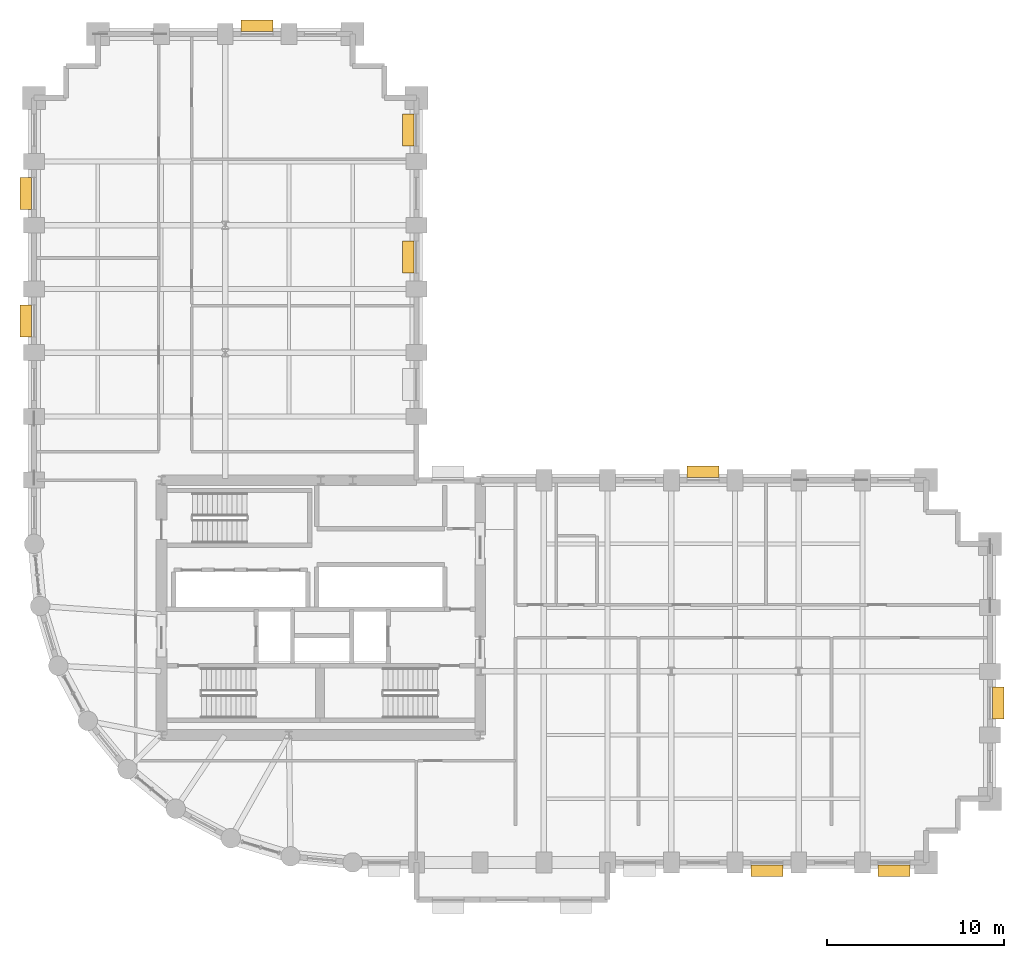
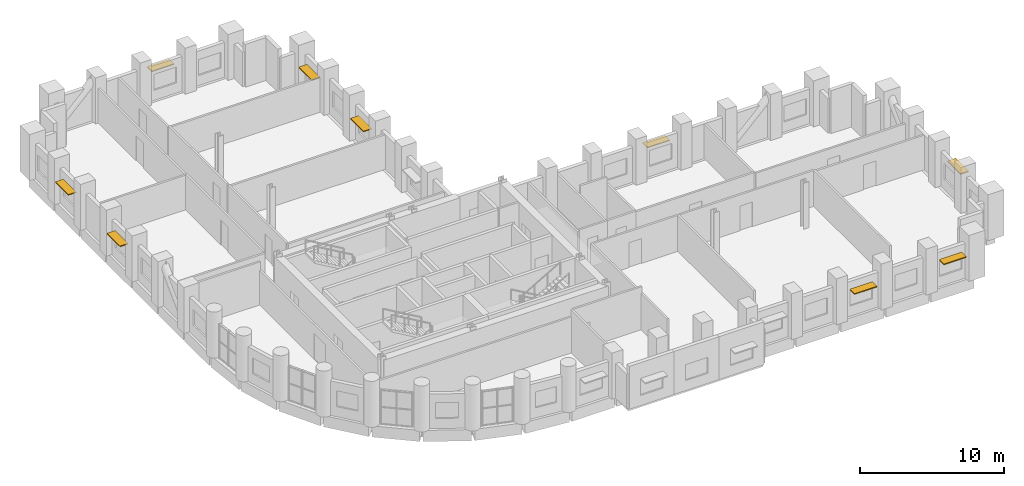
# One storey, part 14 of 14: 9 shading devices.
"""IFC4 building model written with IfcOpenShell, lengths in metres."""

from ifc_helpers import new_model, si_unit, direction, frame, origin, origin_2d, place, context, subcontext, project, spatial, rectangle, extrude, material, layer, layer_set, type_object, element, save


model = new_model("IFC4")

# Units and contexts
model_context = context("Model", 3, precision=1e-05, world=origin(), true_north=direction((0.0, 1.0)))
body_context = subcontext(model_context, "Body", "Model", "MODEL_VIEW")
ifc_project = project(units=[si_unit("LENGTHUNIT", "METRE"), si_unit("AREAUNIT", "SQUARE_METRE"), si_unit("VOLUMEUNIT", "CUBIC_METRE"), si_unit("PLANEANGLEUNIT", "RADIAN"), si_unit("MASSUNIT", "GRAM", prefix="KILO")], contexts=[model_context])

# Site, building, storey
site_placement = place(None, origin())
site = spatial("IfcSite", under=ifc_project, at=site_placement, CompositionType="ELEMENT")
building_placement = place(site_placement, origin())
building = spatial("IfcBuilding", under=site, at=building_placement, Name="Solnavia Interchange Tower", CompositionType="ELEMENT")
storey_placement = place(building_placement, frame((0.0, 0.0, 63.0)))
storey = spatial("IfcBuildingStorey", under=building, at=storey_placement, Name="L15", CompositionType="ELEMENT", Elevation=63.0)

# Shading devices
ifc_material = material(Name="Anodised Aluminium Sunshade", Category="aluminium")
ifc_layer = layer(ifc_material, 0.080078125)
ifc_layer_set = layer_set([ifc_layer], Name="Anodised Aluminium Sunshade")
shading_device_type = type_object("IfcShadingDeviceType", Name="Sunshade-Band-650", PredefinedType="SHUTTER", material=ifc_layer_set)
for number, where, z_axis, x_axis, name in (
    (1, (48.60009765625, 3.1298828125, 2.219970703125), (0.0, 0.0, 1.0), (-1.0, 0.0, 0.0), "SHD-L15-09 Horizontal sunshade band"),
    (2, (55.77490234375, 3.1298828125, 2.219970703125), (0.0, 0.0, 1.0), (-1.0, 0.0, 0.0), "SHD-L15-11 Horizontal sunshade band"),
    (3, (61.669921875, 12.60009765625, 2.219970703125), (0.0, 0.0, 1.0), (0.0, -1.0, 0.0), "SHD-L15-17 Horizontal sunshade band"),
    (4, (45.0, 25.669921875, 2.219970703125), (0.0, 0.0, 1.0), (1.0, 0.0, 0.0), "SHD-L15-27 Horizontal sunshade band"),
    (5, (28.330078125, 37.800048828125, 2.219970703125), (0.0, 0.0, 1.0), (0.0, 1.0, 0.0), "SHD-L15-35 Horizontal sunshade band"),
    (6, (28.330078125, 44.97509765625, 2.219970703125), (0.0, 0.0, 1.0), (0.0, 1.0, 0.0), "SHD-L15-37 Horizontal sunshade band"),
    (7, (19.800048828125, 50.8701171875, 2.219970703125), (0.0, 0.0, 1.0), (1.0, 0.0, 0.0), "SHD-L15-43 Horizontal sunshade band"),
    (8, (6.72998046875, 41.39990234375, 2.219970703125), (0.0, 0.0, 1.0), (0.0, 1.0, 0.0), "SHD-L15-51 Horizontal sunshade band"),
    (9, (6.72998046875, 34.199951171875, 2.219970703125), (0.0, 0.0, 1.0), (0.0, 1.0, 0.0), "SHD-L15-53 Horizontal sunshade band"),
):
    element("IfcShadingDevice", number, at=place(storey_placement, frame(where, z_axis=z_axis, x_axis=x_axis)), inside=storey, type_object=shading_device_type, Name=name, PredefinedType="SHUTTER", context=body_context, shape_type="SweptSolid", body=[
        extrude(rectangle(XDim=1.800048828125, YDim=0.64990234375, at=origin_2d()), origin(), (0.0, 0.0, 1.0), 0.080078125),
    ])

save(model, "model.ifc")
